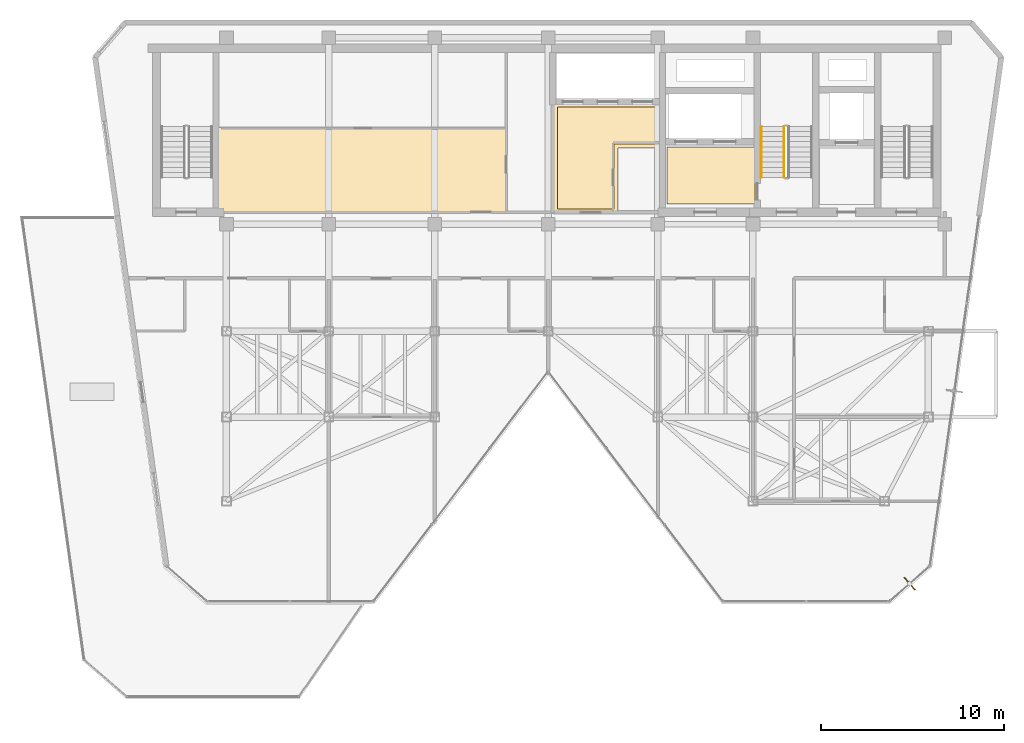
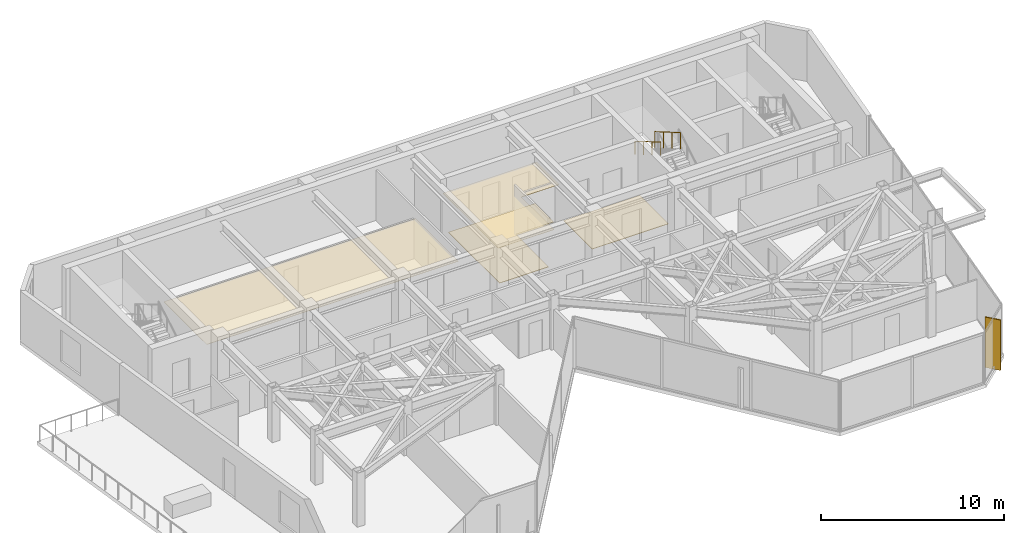
# One storey, part 20 of 21: 4 coverings, 2 railings, 1 shading device.
"""IFC4 building model written with IfcOpenShell, lengths in metres."""

import ifcopenshell
import ifcopenshell.guid

model = None  # the IFC model being written
_history = None  # IfcOwnerHistory: only IFC2X3 demands one
_inside = {}  # id of a spatial element -> (the spatial element, [elements in it])
_under = {}  # id of a project, library or spatial element -> (it, [spatial elements below it])
_declared = {}  # id of a project -> (the project, [libraries it declares])
_typed = {}  # id of a type object -> (the type object, [elements of that type])
_made_of = {}  # id of a material, layer set ... -> (it, [elements and type objects made of it])


def new_model(schema):
    """Start an empty IFC model of exactly this schema.

    Asked for "IFC4X3", IfcOpenShell would pick the latest addendum, in which some entities
    have other attributes; the version numbers below select the first issue.
    IFC2X3 requires an IfcOwnerHistory on every rooted entity: one is made here for all.
    """
    global model, _history
    if schema == "IFC4X3":
        model = ifcopenshell.file(schema_version=(4, 3, 0, 0))
    else:
        model = ifcopenshell.file(schema=schema)
    _inside.clear()
    _under.clear()
    _declared.clear()
    _typed.clear()
    _made_of.clear()
    _history = None
    if model.schema == "IFC2X3":
        org = make("IfcOrganization", Name="unknown")
        user = make(
            "IfcPersonAndOrganization",
            ThePerson=make("IfcPerson", FamilyName="unknown"),
            TheOrganization=org,
        )
        app = make(
            "IfcApplication",
            ApplicationDeveloper=org,
            Version="unknown",
            ApplicationFullName="unknown",
            ApplicationIdentifier="unknown",
        )
        _history = make(
            "IfcOwnerHistory",
            OwningUser=user,
            OwningApplication=app,
            ChangeAction="ADDED",
            CreationDate=0,
        )
    return model


def make(cls, **values):
    """One entity of the class cls with the attributes given. An attribute that is None is left unset."""
    return model.create_entity(
        cls, **{name: value for name, value in values.items() if value is not None}
    )


def rooted(cls, **values):
    """An entity with a GlobalId (a new one), such as an element, a storey or a relation."""
    return make(cls, GlobalId=ifcopenshell.guid.new(), OwnerHistory=_history, **values)


def si_unit(unit_type, name, prefix=None):
    """IfcSIUnit, for example si_unit("LENGTHUNIT", "METRE", prefix="MILLI")."""
    return make("IfcSIUnit", UnitType=unit_type, Prefix=prefix, Name=name)


def assignment(units):
    """IfcUnitAssignment: the units of a project."""
    return None if units is None else make("IfcUnitAssignment", Units=units)


def point(xyz):
    """IfcCartesianPoint."""
    return None if xyz is None else make("IfcCartesianPoint", Coordinates=xyz)


def direction(xyz):
    """IfcDirection."""
    return None if xyz is None else make("IfcDirection", DirectionRatios=xyz)


def frame(location, z_axis=None, x_axis=None):
    """IfcAxis2Placement3D, a coordinate frame: its origin and axes. An axis left out is left unset."""
    return make(
        "IfcAxis2Placement3D",
        Location=point(location),
        Axis=direction(z_axis),
        RefDirection=direction(x_axis),
    )


def frame_2d(location, x_axis=None):
    """IfcAxis2Placement2D, a coordinate frame in the plane: its origin and x axis."""
    return make(
        "IfcAxis2Placement2D", Location=point(location), RefDirection=direction(x_axis)
    )


def origin():
    """The frame at (0, 0, 0) with its axes left unset."""
    return frame((0.0, 0.0, 0.0))


def origin_2d():
    """The frame at (0, 0) in the plane with its x axis left unset."""
    return frame_2d((0.0, 0.0))


def place(relative_to, where):
    """IfcLocalPlacement: puts the frame where relative to a parent placement (None: the world)."""
    return make(
        "IfcLocalPlacement", PlacementRelTo=relative_to, RelativePlacement=where
    )


def context(
    kind, dimensions, precision=None, world=None, true_north=None, identifier=None
):
    """IfcGeometricRepresentationContext, for example the 3D "Model" context."""
    return make(
        "IfcGeometricRepresentationContext",
        ContextIdentifier=identifier,
        ContextType=kind,
        CoordinateSpaceDimension=dimensions,
        Precision=precision,
        WorldCoordinateSystem=world,
        TrueNorth=true_north,
    )


def subcontext(parent, identifier, kind, view, scale=None):
    """IfcGeometricRepresentationSubContext, for example "Body" below "Model"."""
    return make(
        "IfcGeometricRepresentationSubContext",
        ContextIdentifier=identifier,
        ContextType=kind,
        ParentContext=parent,
        TargetScale=scale,
        TargetView=view,
    )


def project(units=None, contexts=None):
    """IfcProject with its units and contexts."""
    return rooted(
        "IfcProject",
        Name="project",
        RepresentationContexts=contexts,
        UnitsInContext=assignment(units),
    )


def spatial(cls, under=None, at=None, **own):
    """A site, building, storey or space (cls), placed at a placement, below another one or the project."""
    s = rooted(cls, ObjectPlacement=at, **own)
    if under is not None:
        _under.setdefault(under.id(), (under, []))[1].append(s)
    return s


def polyline(points):
    """IfcPolyline through the points."""
    return make("IfcPolyline", Points=[point(p) for p in points])


def profile(cls, at=None, kind="AREA", **sizes):
    """A parametric profile (cls). Its sizes go by their IFC names, for example OverallWidth=200.0."""
    return make(cls, ProfileType=kind, Position=at, **sizes)


def rectangle(**sizes):
    """IfcRectangleProfileDef."""
    return profile("IfcRectangleProfileDef", **sizes)


def circle(**sizes):
    """IfcCircleProfileDef."""
    return profile("IfcCircleProfileDef", **sizes)


def outline(outer, holes=None, kind="AREA"):
    """IfcArbitraryClosedProfileDef: a profile drawn as a closed curve; with holes, ...WithVoids."""
    if holes is None:
        return make("IfcArbitraryClosedProfileDef", ProfileType=kind, OuterCurve=outer)
    return make(
        "IfcArbitraryProfileDefWithVoids",
        ProfileType=kind,
        OuterCurve=outer,
        InnerCurves=holes,
    )


def extrude(swept, where, along, depth):
    """IfcExtrudedAreaSolid: the profile swept, set in the frame where, extruded along a direction by depth."""
    return make(
        "IfcExtrudedAreaSolid",
        SweptArea=swept,
        Position=where,
        ExtrudedDirection=direction(along),
        Depth=depth,
    )


def shape(context_of_items, identifier, shape_type, items):
    """IfcShapeRepresentation: the items that make up one representation, for example the "Body"."""
    return make(
        "IfcShapeRepresentation",
        ContextOfItems=context_of_items,
        RepresentationIdentifier=identifier,
        RepresentationType=shape_type,
        Items=items,
    )


def material(Name=None, Category=None):
    """IfcMaterial."""
    return make("IfcMaterial", Name=Name, Category=Category)


def layer(
    of_material, thickness, ventilated=None, Name=None, Category=None, Priority=None
):
    """IfcMaterialLayer: one layer of a wall or slab, of a material (None: an air gap)."""
    return make(
        "IfcMaterialLayer",
        Material=of_material,
        LayerThickness=thickness,
        IsVentilated=ventilated,
        Name=Name,
        Category=Category,
        Priority=Priority,
    )


def layer_set(layers, Name=None):
    """IfcMaterialLayerSet."""
    return make("IfcMaterialLayerSet", MaterialLayers=layers, LayerSetName=Name)


def made_of(thing, what):
    """Note that an element or type object is made of a material, layer set ...; save() writes the relation."""
    if what is not None:
        _made_of.setdefault(what.id(), (what, []))[1].append(thing)
    return thing


def type_object(cls, material=None, **own):
    """A type object (cls), such as IfcWallType, which elements share."""
    return made_of(rooted(cls, **own), material)


def element(
    cls,
    number,
    at=None,
    inside=None,
    cuts=None,
    type_object=None,
    material=None,
    context=None,
    identifier="Body",
    shape_type=None,
    held_by="IfcProductDefinitionShape",
    body=None,
    shapes=None,
    **own,
):
    """One element of the class cls, such as IfcWall. Its Tag is "e" and its number.

    at: its placement. inside: the storey or other place that contains it. cuts: it is an
    opening in that element (IfcRelVoidsElement). A single representation is given by context,
    identifier, shape_type and body (its items); several are given by shapes. held_by: the class
    of the entity that holds the representations. save() writes the other relations.
    """
    e = rooted(cls, Tag="e%d" % number, ObjectPlacement=at, **own)
    if body is not None:
        shapes = [shape(context, identifier, shape_type, body)]
    if shapes is not None:
        e.Representation = make(held_by, Representations=shapes)
    if inside is not None:
        _inside.setdefault(inside.id(), (inside, []))[1].append(e)
    if cuts is not None:
        rooted(
            "IfcRelVoidsElement", RelatingBuildingElement=cuts, RelatedOpeningElement=e
        )
    if type_object is not None:
        _typed.setdefault(type_object.id(), (type_object, []))[1].append(e)
    return made_of(e, material)


def aggregate(whole, parts):
    """IfcRelAggregates: a whole, such as a stair, and the parts it consists of."""
    return rooted("IfcRelAggregates", RelatingObject=whole, RelatedObjects=parts)


def save(model, path):
    """Write the relations noted so far, then the file.

    IfcRelAggregates (storeys below a building ...), IfcRelContainedInSpatialStructure (elements
    in a storey), IfcRelDefinesByType, IfcRelAssociatesMaterial and IfcRelDeclares: one each for
    every whole, place, type object, material and project.
    """
    for whole, parts in _under.values():
        aggregate(whole, parts)
    for where, things in _inside.values():
        rooted(
            "IfcRelContainedInSpatialStructure",
            RelatedElements=things,
            RelatingStructure=where,
        )
    for kind, things in _typed.values():
        rooted("IfcRelDefinesByType", RelatedObjects=things, RelatingType=kind)
    for what, things in _made_of.values():
        rooted("IfcRelAssociatesMaterial", RelatedObjects=things, RelatingMaterial=what)
    for by, libraries in _declared.values():
        rooted("IfcRelDeclares", RelatingContext=by, RelatedDefinitions=libraries)
    model.write(path)


model = new_model("IFC4")

# Units and contexts
model_context = context("Model", 3, precision=1e-05, world=origin(), true_north=direction((0.0, 1.0)))
body_context = subcontext(model_context, "Body", "Model", "MODEL_VIEW")
ifc_project = project(units=[si_unit("LENGTHUNIT", "METRE"), si_unit("AREAUNIT", "SQUARE_METRE"), si_unit("VOLUMEUNIT", "CUBIC_METRE"), si_unit("PLANEANGLEUNIT", "RADIAN"), si_unit("MASSUNIT", "GRAM", prefix="KILO")], contexts=[model_context])

# Site, building, storey
site_placement = place(None, origin())
site = spatial("IfcSite", under=ifc_project, at=site_placement, CompositionType="ELEMENT")
building_placement = place(site_placement, origin())
building = spatial("IfcBuilding", under=site, at=building_placement, Name="Kravanh Interchange Tower", CompositionType="ELEMENT")
storey_placement = place(building_placement, frame((0.0, 0.0, 231.0)))
storey = spatial("IfcBuildingStorey", under=building, at=storey_placement, Name="L55", CompositionType="ELEMENT", Elevation=231.0)

# Coverings
ifc_material_1 = material(Name="Cementitious Terrazzo Tile")
ifc_layer_1 = layer(ifc_material_1, 0.030029296875)
ifc_layer_set_1 = layer_set([ifc_layer_1], Name="Honed Terrazzo Lobby Flooring 30mm")
covering_type_1 = type_object("IfcCoveringType", Name="Honed Terrazzo Lobby Flooring 30mm", PredefinedType="FLOORING", material=ifc_layer_set_1)
covering_1_placement = place(storey_placement, origin())
element("IfcCovering", 1, at=covering_1_placement, inside=storey, type_object=covering_type_1, Name="L55 Firefighting Lobby Floor Finish", PredefinedType="FLOORING", context=body_context, shape_type="SweptSolid", body=[
    extrude(outline(polyline([(56.1201171875, 38.4599609375), (51.300048828125, 38.4599609375), (51.300048828125, 41.580078125), (56.1201171875, 41.580078125), (56.1201171875, 38.4599609375)])), origin(), (0.0, 0.0, 1.0), 0.030029296875),
])
covering_2_placement = place(storey_placement, origin())
element("IfcCovering", 2, at=covering_2_placement, inside=storey, type_object=covering_type_1, Name="L55 High-Rise Lift Lobby Floor Finish", PredefinedType="FLOORING", context=body_context, shape_type="SweptSolid", body=[
    extrude(outline(polyline([(45.300048828125, 43.77001953125), (50.77001953125, 43.77001953125), (50.77001953125, 41.75), (48.389892578125, 41.75), (48.389892578125, 38.179931640625), (45.300048828125, 38.179931640625), (45.300048828125, 43.77001953125)])), origin(), (0.0, 0.0, 1.0), 0.030029296875),
])
ifc_material_2 = material(Name="Acoustic Mineral Fibre Tile on Aluminium Grid", Category="aluminium")
ifc_layer_2 = layer(ifc_material_2, 0.02490234375)
ifc_layer_set_2 = layer_set([ifc_layer_2], Name="Perforated Acoustic Mineral Ceiling 25mm")
covering_type_2 = type_object("IfcCoveringType", Name="Perforated Acoustic Mineral Ceiling 25mm", PredefinedType="CEILING", material=ifc_layer_set_2)
covering_3_placement = place(storey_placement, frame((0.0, 0.0, 2.550048828125)))
element("IfcCovering", 3, at=covering_3_placement, inside=storey, type_object=covering_type_2, Name="L55 High-Rise Lift Lobby Suspended Ceiling", PredefinedType="CEILING", context=body_context, shape_type="SweptSolid", body=[
    extrude(outline(polyline([(50.989990234375, 41.530029296875), (48.610107421875, 41.530029296875), (48.610107421875, 37.9599609375), (45.080078125, 37.9599609375), (45.080078125, 43.989990234375), (50.989990234375, 43.989990234375), (50.989990234375, 41.530029296875)])), origin(), (0.0, 0.0, 1.0), 0.02490234375),
])
covering_4_placement = place(storey_placement, frame((0.0, 0.0, 2.550048828125)))
element("IfcCovering", 4, at=covering_4_placement, inside=storey, type_object=covering_type_2, Name="L55 Executive Business Study Suspended Ceiling", PredefinedType="CEILING", context=body_context, shape_type="SweptSolid", body=[
    extrude(outline(polyline([(42.580078125, 42.659912109375), (42.580078125, 37.9599609375), (26.7099609375, 37.9599609375), (26.7099609375, 42.659912109375), (42.580078125, 42.659912109375)])), origin(), (0.0, 0.0, 1.0), 0.02490234375),
])

# Railings
ifc_material_3 = material(Name="Structural Steel S355", Category="steel")
ifc_layer_3 = layer(ifc_material_3, 0.050048828125)
ifc_layer_set_3 = layer_set([ifc_layer_3], Name="Stair Well Guardrail Structural Steel S355 1100mm")
railing_type_1 = type_object("IfcRailingType", Name="Stair Well Guardrail Structural Steel S355 1100mm", PredefinedType="GUARDRAIL", material=ifc_layer_set_3)
railing_1_placement = place(storey_placement, frame((57.699951171875, 42.699951171875, 1.963623046875)))
element("IfcRailing", 5, at=railing_1_placement, inside=storey, type_object=railing_type_1, Name="L55 ST2 stair guard 3", PredefinedType="GUARDRAIL", context=body_context, shape_type="SweptSolid", body=[
    extrude(circle(Radius=0.02392578125, at=origin_2d()), frame((0.0, 0.0, 1.076171875), z_axis=(0.0, -0.863360870873, 0.504586966384), x_axis=(1.0, 0.0, 0.0)), (0.0, 0.0, 1.0), 3.2431640625),
    extrude(circle(Radius=0.02099609375, at=origin_2d()), origin(), (0.0, 0.0, 1.0), 1.052001953125),
    extrude(circle(Radius=0.02099609375, at=origin_2d()), frame((0.0, -0.933349609375, 0.54541015625)), (0.0, 0.0, 1.0), 1.052001953125),
    extrude(circle(Radius=0.02099609375, at=origin_2d()), frame((0.0, -1.86669921875, 1.091064453125)), (0.0, 0.0, 1.0), 1.052001953125),
    extrude(circle(Radius=0.02099609375, at=origin_2d()), frame((0.0, -2.800048828125, 1.636474609375)), (0.0, 0.0, 1.0), 1.052001953125),
])
ifc_material_4 = material(Name="Stainless Steel 304", Category="steel")
ifc_layer_4 = layer(ifc_material_4, 0.044921875)
ifc_layer_set_4 = layer_set([ifc_layer_4], Name="Tubular Stair Handrail Stainless 304 900mm")
railing_type_2 = type_object("IfcRailingType", Name="Tubular Stair Handrail Stainless 304 900mm", PredefinedType="HANDRAIL", material=ifc_layer_set_4)
railing_2_placement = place(storey_placement, frame((56.449951171875, 42.699951171875, 1.963623046875)))
element("IfcRailing", 6, at=railing_2_placement, inside=storey, type_object=railing_type_2, Name="L55 ST2 stair handrail 2", PredefinedType="HANDRAIL", context=body_context, shape_type="SweptSolid", body=[
    extrude(circle(Radius=0.02392578125, at=origin_2d()), frame((0.0, 0.0, 0.8759765625), z_axis=(0.0, -0.863360870873, 0.504586966384), x_axis=(1.0, 0.0, 0.0)), (0.0, 0.0, 1.0), 3.2431640625),
    extrude(circle(Radius=0.02099609375, at=origin_2d()), origin(), (0.0, 0.0, 1.0), 0.851806640625),
    extrude(circle(Radius=0.02099609375, at=origin_2d()), frame((0.0, -0.933349609375, 0.54541015625)), (0.0, 0.0, 1.0), 0.851806640625),
    extrude(circle(Radius=0.02099609375, at=origin_2d()), frame((0.0, -1.86669921875, 1.091064453125)), (0.0, 0.0, 1.0), 0.851806640625),
    extrude(circle(Radius=0.02099609375, at=origin_2d()), frame((0.0, -2.800048828125, 1.636474609375)), (0.0, 0.0, 1.0), 0.851806640625),
])

# Shading device
ifc_material_5 = material(Name="Anodised Champagne Bronze Aluminium", Category="aluminium")
ifc_layer_5 = layer(ifc_material_5, 0.06005859375)
ifc_layer_set_5 = layer_set([ifc_layer_5], Name="Vertical Bronze Solar Fin 900mm")
shading_device_type = type_object("IfcShadingDeviceType", Name="Vertical Bronze Solar Fin 900mm", PredefinedType="USERDEFINED", material=ifc_layer_set_5)
shading_device_placement = place(storey_placement, frame((64.5771484375, 17.680908203125, 0.0), z_axis=(0.0, 0.0, 1.0), x_axis=(0.656043386928, -0.754723177376, 0.0)))
element("IfcShadingDevice", 7, at=shading_device_placement, inside=storey, type_object=shading_device_type, Name="L55 BRONZE SOLAR FIN 2", ObjectType="FIN", PredefinedType="USERDEFINED", context=body_context, shape_type="SweptSolid", body=[
    extrude(rectangle(XDim=0.89990234375, YDim=0.06005859375, at=origin_2d()), origin(), (0.0, 0.0, 1.0), 3.360107421875),
])

save(model, "model.ifc")
